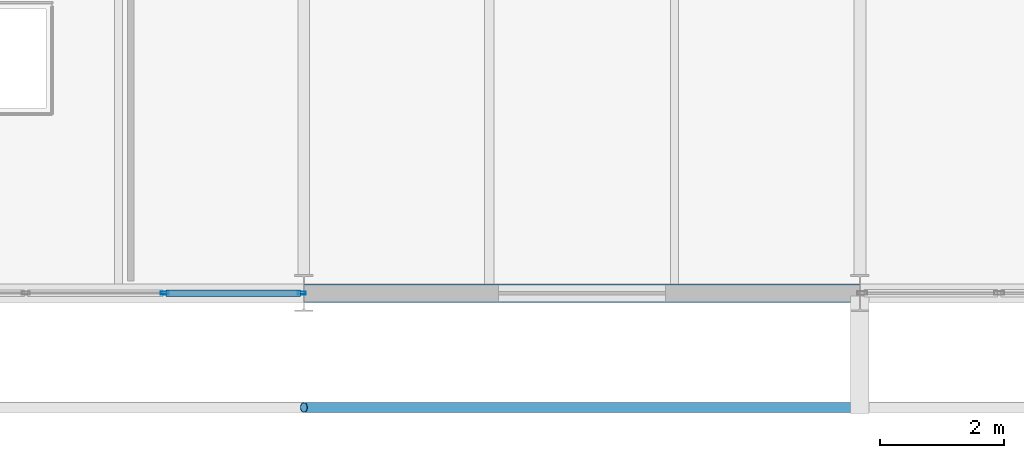
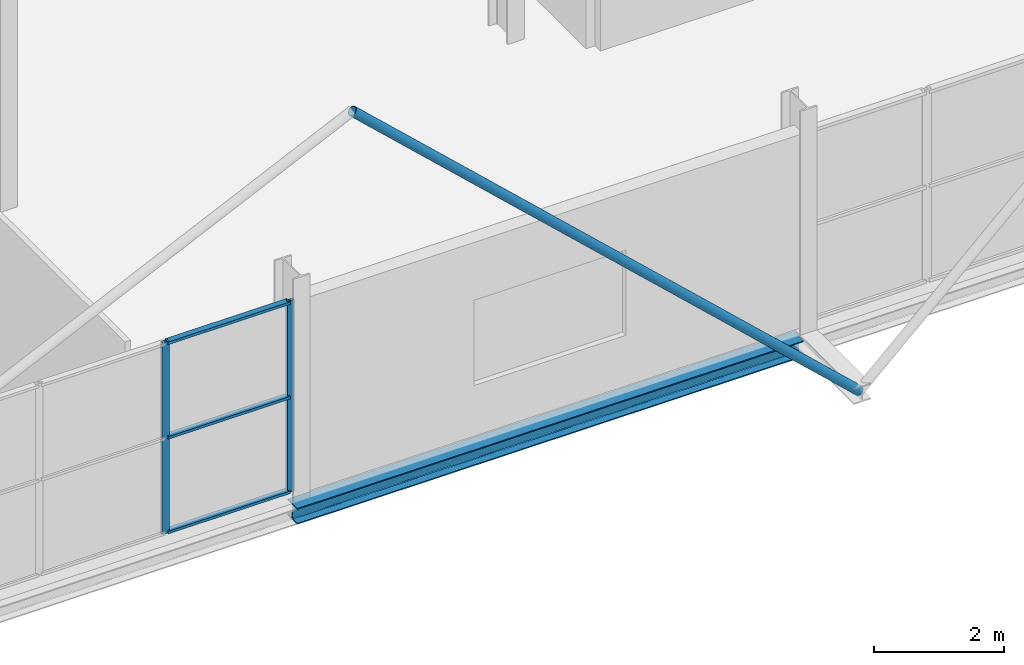
# One storey, part 28 of 59: 6 members, 1 beam, 1 element without a shape of its own.
"""IFC4 building model written with IfcOpenShell, lengths in metres."""

import ifcopenshell
import ifcopenshell.guid

model = None  # the IFC model being written
_history = None  # IfcOwnerHistory: only IFC2X3 demands one
_inside = {}  # id of a spatial element -> (the spatial element, [elements in it])
_under = {}  # id of a project, library or spatial element -> (it, [spatial elements below it])
_declared = {}  # id of a project -> (the project, [libraries it declares])
_typed = {}  # id of a type object -> (the type object, [elements of that type])
_made_of = {}  # id of a material, layer set ... -> (it, [elements and type objects made of it])


def new_model(schema):
    """Start an empty IFC model of exactly this schema.

    Asked for "IFC4X3", IfcOpenShell would pick the latest addendum, in which some entities
    have other attributes; the version numbers below select the first issue.
    IFC2X3 requires an IfcOwnerHistory on every rooted entity: one is made here for all.
    """
    global model, _history
    if schema == "IFC4X3":
        model = ifcopenshell.file(schema_version=(4, 3, 0, 0))
    else:
        model = ifcopenshell.file(schema=schema)
    _inside.clear()
    _under.clear()
    _declared.clear()
    _typed.clear()
    _made_of.clear()
    _history = None
    if model.schema == "IFC2X3":
        org = make("IfcOrganization", Name="unknown")
        user = make(
            "IfcPersonAndOrganization",
            ThePerson=make("IfcPerson", FamilyName="unknown"),
            TheOrganization=org,
        )
        app = make(
            "IfcApplication",
            ApplicationDeveloper=org,
            Version="unknown",
            ApplicationFullName="unknown",
            ApplicationIdentifier="unknown",
        )
        _history = make(
            "IfcOwnerHistory",
            OwningUser=user,
            OwningApplication=app,
            ChangeAction="ADDED",
            CreationDate=0,
        )
    return model


def make(cls, **values):
    """One entity of the class cls with the attributes given. An attribute that is None is left unset."""
    return model.create_entity(
        cls, **{name: value for name, value in values.items() if value is not None}
    )


def rooted(cls, **values):
    """An entity with a GlobalId (a new one), such as an element, a storey or a relation."""
    return make(cls, GlobalId=ifcopenshell.guid.new(), OwnerHistory=_history, **values)


def si_unit(unit_type, name, prefix=None):
    """IfcSIUnit, for example si_unit("LENGTHUNIT", "METRE", prefix="MILLI")."""
    return make("IfcSIUnit", UnitType=unit_type, Prefix=prefix, Name=name)


def assignment(units):
    """IfcUnitAssignment: the units of a project."""
    return None if units is None else make("IfcUnitAssignment", Units=units)


def point(xyz):
    """IfcCartesianPoint."""
    return None if xyz is None else make("IfcCartesianPoint", Coordinates=xyz)


def direction(xyz):
    """IfcDirection."""
    return None if xyz is None else make("IfcDirection", DirectionRatios=xyz)


def frame(location, z_axis=None, x_axis=None):
    """IfcAxis2Placement3D, a coordinate frame: its origin and axes. An axis left out is left unset."""
    return make(
        "IfcAxis2Placement3D",
        Location=point(location),
        Axis=direction(z_axis),
        RefDirection=direction(x_axis),
    )


def frame_2d(location, x_axis=None):
    """IfcAxis2Placement2D, a coordinate frame in the plane: its origin and x axis."""
    return make(
        "IfcAxis2Placement2D", Location=point(location), RefDirection=direction(x_axis)
    )


def origin():
    """The frame at (0, 0, 0) with its axes left unset."""
    return frame((0.0, 0.0, 0.0))


def origin_2d():
    """The frame at (0, 0) in the plane with its x axis left unset."""
    return frame_2d((0.0, 0.0))


def place(relative_to, where):
    """IfcLocalPlacement: puts the frame where relative to a parent placement (None: the world)."""
    return make(
        "IfcLocalPlacement", PlacementRelTo=relative_to, RelativePlacement=where
    )


def context(
    kind, dimensions, precision=None, world=None, true_north=None, identifier=None
):
    """IfcGeometricRepresentationContext, for example the 3D "Model" context."""
    return make(
        "IfcGeometricRepresentationContext",
        ContextIdentifier=identifier,
        ContextType=kind,
        CoordinateSpaceDimension=dimensions,
        Precision=precision,
        WorldCoordinateSystem=world,
        TrueNorth=true_north,
    )


def subcontext(parent, identifier, kind, view, scale=None):
    """IfcGeometricRepresentationSubContext, for example "Body" below "Model"."""
    return make(
        "IfcGeometricRepresentationSubContext",
        ContextIdentifier=identifier,
        ContextType=kind,
        ParentContext=parent,
        TargetScale=scale,
        TargetView=view,
    )


def project(units=None, contexts=None):
    """IfcProject with its units and contexts."""
    return rooted(
        "IfcProject",
        Name="project",
        RepresentationContexts=contexts,
        UnitsInContext=assignment(units),
    )


def spatial(cls, under=None, at=None, **own):
    """A site, building, storey or space (cls), placed at a placement, below another one or the project."""
    s = rooted(cls, ObjectPlacement=at, **own)
    if under is not None:
        _under.setdefault(under.id(), (under, []))[1].append(s)
    return s


def profile(cls, at=None, kind="AREA", **sizes):
    """A parametric profile (cls). Its sizes go by their IFC names, for example OverallWidth=200.0."""
    return make(cls, ProfileType=kind, Position=at, **sizes)


def hollow_rectangle(**sizes):
    """IfcRectangleHollowProfileDef."""
    return profile("IfcRectangleHollowProfileDef", **sizes)


def hollow_circle(**sizes):
    """IfcCircleHollowProfileDef."""
    return profile("IfcCircleHollowProfileDef", **sizes)


def i_section(**sizes):
    """IfcIShapeProfileDef."""
    return profile("IfcIShapeProfileDef", **sizes)


def extrude(swept, where, along, depth):
    """IfcExtrudedAreaSolid: the profile swept, set in the frame where, extruded along a direction by depth."""
    return make(
        "IfcExtrudedAreaSolid",
        SweptArea=swept,
        Position=where,
        ExtrudedDirection=direction(along),
        Depth=depth,
    )


def shape(context_of_items, identifier, shape_type, items):
    """IfcShapeRepresentation: the items that make up one representation, for example the "Body"."""
    return make(
        "IfcShapeRepresentation",
        ContextOfItems=context_of_items,
        RepresentationIdentifier=identifier,
        RepresentationType=shape_type,
        Items=items,
    )


def material(Name=None, Category=None):
    """IfcMaterial."""
    return make("IfcMaterial", Name=Name, Category=Category)


def layer(
    of_material, thickness, ventilated=None, Name=None, Category=None, Priority=None
):
    """IfcMaterialLayer: one layer of a wall or slab, of a material (None: an air gap)."""
    return make(
        "IfcMaterialLayer",
        Material=of_material,
        LayerThickness=thickness,
        IsVentilated=ventilated,
        Name=Name,
        Category=Category,
        Priority=Priority,
    )


def layer_set(layers, Name=None):
    """IfcMaterialLayerSet."""
    return make("IfcMaterialLayerSet", MaterialLayers=layers, LayerSetName=Name)


def material_profile(
    of_material, cross_section, Name=None, Category=None, Priority=None
):
    """IfcMaterialProfile: a cross section and its material."""
    return make(
        "IfcMaterialProfile",
        Name=Name,
        Material=of_material,
        Profile=cross_section,
        Priority=Priority,
        Category=Category,
    )


def profile_set(profiles, Name=None, composite=None):
    """IfcMaterialProfileSet."""
    return make(
        "IfcMaterialProfileSet",
        Name=Name,
        MaterialProfiles=profiles,
        CompositeProfile=composite,
    )


def made_of(thing, what):
    """Note that an element or type object is made of a material, layer set ...; save() writes the relation."""
    if what is not None:
        _made_of.setdefault(what.id(), (what, []))[1].append(thing)
    return thing


def type_object(cls, material=None, **own):
    """A type object (cls), such as IfcWallType, which elements share."""
    return made_of(rooted(cls, **own), material)


def element(
    cls,
    number,
    at=None,
    inside=None,
    cuts=None,
    type_object=None,
    material=None,
    context=None,
    identifier="Body",
    shape_type=None,
    held_by="IfcProductDefinitionShape",
    body=None,
    shapes=None,
    **own,
):
    """One element of the class cls, such as IfcWall. Its Tag is "e" and its number.

    at: its placement. inside: the storey or other place that contains it. cuts: it is an
    opening in that element (IfcRelVoidsElement). A single representation is given by context,
    identifier, shape_type and body (its items); several are given by shapes. held_by: the class
    of the entity that holds the representations. save() writes the other relations.
    """
    e = rooted(cls, Tag="e%d" % number, ObjectPlacement=at, **own)
    if body is not None:
        shapes = [shape(context, identifier, shape_type, body)]
    if shapes is not None:
        e.Representation = make(held_by, Representations=shapes)
    if inside is not None:
        _inside.setdefault(inside.id(), (inside, []))[1].append(e)
    if cuts is not None:
        rooted(
            "IfcRelVoidsElement", RelatingBuildingElement=cuts, RelatedOpeningElement=e
        )
    if type_object is not None:
        _typed.setdefault(type_object.id(), (type_object, []))[1].append(e)
    return made_of(e, material)


def aggregate(whole, parts):
    """IfcRelAggregates: a whole, such as a stair, and the parts it consists of."""
    return rooted("IfcRelAggregates", RelatingObject=whole, RelatedObjects=parts)


def save(model, path):
    """Write the relations noted so far, then the file.

    IfcRelAggregates (storeys below a building ...), IfcRelContainedInSpatialStructure (elements
    in a storey), IfcRelDefinesByType, IfcRelAssociatesMaterial and IfcRelDeclares: one each for
    every whole, place, type object, material and project.
    """
    for whole, parts in _under.values():
        aggregate(whole, parts)
    for where, things in _inside.values():
        rooted(
            "IfcRelContainedInSpatialStructure",
            RelatedElements=things,
            RelatingStructure=where,
        )
    for kind, things in _typed.values():
        rooted("IfcRelDefinesByType", RelatedObjects=things, RelatingType=kind)
    for what, things in _made_of.values():
        rooted("IfcRelAssociatesMaterial", RelatedObjects=things, RelatingMaterial=what)
    for by, libraries in _declared.values():
        rooted("IfcRelDeclares", RelatingContext=by, RelatedDefinitions=libraries)
    model.write(path)


model = new_model("IFC4")

# Units and contexts
model_context = context("Model", 3, precision=1e-05, world=origin(), true_north=direction((0.0, 1.0)))
body_context = subcontext(model_context, "Body", "Model", "MODEL_VIEW")
ifc_project = project(units=[si_unit("LENGTHUNIT", "METRE"), si_unit("AREAUNIT", "SQUARE_METRE"), si_unit("VOLUMEUNIT", "CUBIC_METRE"), si_unit("PLANEANGLEUNIT", "RADIAN"), si_unit("MASSUNIT", "GRAM", prefix="KILO")], contexts=[model_context])

# Site, building, storey
site_placement = place(None, origin())
site = spatial("IfcSite", under=ifc_project, at=site_placement, CompositionType="ELEMENT")
building_placement = place(site_placement, origin())
building = spatial("IfcBuilding", under=site, at=building_placement, Name="Deido Ridge Mobility Hub", CompositionType="ELEMENT")
storey_placement = place(building_placement, frame((0.0, 0.0, 21.0)))
storey = spatial("IfcBuildingStorey", under=building, at=storey_placement, Name="L05", CompositionType="ELEMENT", Elevation=21.0)

# Curtain wall, members
ifc_material_1 = material(Name="Anodised aluminium EN AW-6063 T6", Category="aluminium")
ifc_layer = layer(ifc_material_1, 0.1650390625, Name="Anodised aluminium EN AW-6063 T6")
ifc_layer_set = layer_set([ifc_layer], Name="Anodised aluminium EN AW-6063 T6")
curtain_wall_type = type_object("IfcCurtainWallType", Name="CW-UF-1", PredefinedType="USERDEFINED", material=ifc_layer_set)
curtain_wall_placement = place(storey_placement, origin())
curtain_wall = element("IfcCurtainWall", 1, at=curtain_wall_placement, inside=storey, type_object=curtain_wall_type, Name="Unitised curtain wall CW1", ObjectType="UNITISED FACADE", PredefinedType="USERDEFINED")
ifc_material_profile_1 = material_profile(ifc_material_1, hollow_rectangle(XDim=0.050048828125, YDim=0.1298828125, WallThickness=0.00390625, at=origin_2d()), Name="RHS 50x130x4")
ifc_profile_set_1 = profile_set([ifc_material_profile_1], Name="Anodised aluminium EN AW-6063 T6")
member_type_1 = type_object("IfcMemberType", Name="MEM-MUL-50X130", PredefinedType="MULLION", material=ifc_profile_set_1)
member_1_placement = place(storey_placement, frame((150.746337890625, 0.0, 0.0), z_axis=(0.0, 0.0, 1.0), x_axis=(0.0, 1.0, 0.0)))
member_1 = element("IfcMember", 2, at=member_1_placement, type_object=member_type_1, Name="CW1 mullion 4", PredefinedType="MULLION", context=body_context, shape_type="SweptSolid", body=[
    extrude(hollow_rectangle(XDim=0.050048828125, YDim=0.1298828125, WallThickness=0.00390625, at=origin_2d()), origin(), (0.0, 0.0, 1.0), 3.60009765625),
])
member_2_placement = place(storey_placement, frame((152.96728515625, 0.0, 0.0), z_axis=(0.0, 0.0, 1.0), x_axis=(0.0, 1.0, 0.0)))
member_2 = element("IfcMember", 3, at=member_2_placement, type_object=member_type_1, Name="CW1 mullion 5", PredefinedType="MULLION", context=body_context, shape_type="SweptSolid", body=[
    extrude(hollow_rectangle(XDim=0.050048828125, YDim=0.1298828125, WallThickness=0.00390625, at=origin_2d()), origin(), (0.0, 0.0, 1.0), 3.60009765625),
])

# Member
ifc_material_2 = material(Name="Steel S355J2H EN 10210-1", Category="steel")
ifc_material_profile_2 = material_profile(ifc_material_2, hollow_circle(Radius=0.084228515625, WallThickness=0.008056640625, at=origin_2d()), Name="CHS 168.3x8")
ifc_profile_set_2 = profile_set([ifc_material_profile_2], Name="Steel S355J2H EN 10210-1")
member_type_2 = type_object("IfcMemberType", Name="MEM-STR-CHS168", PredefinedType="STRUT", material=ifc_profile_set_2)
member_3_placement = place(storey_placement, frame((162.0, -1.85009765625, -0.14990234375), z_axis=(-0.73105922506, 0.0, 0.682314010889), x_axis=(0.0, -1.0, 0.0)))
element("IfcMember", 4, at=member_3_placement, inside=storey, type_object=member_type_2, Name="Deconstructivist facade diagrid strut SR1", PredefinedType="STRUT", context=body_context, shape_type="SweptSolid", body=[
    extrude(hollow_circle(Radius=0.084228515625, WallThickness=0.008056640625, at=origin_2d()), origin(), (0.0, 0.0, 1.0), 12.310791015625),
])

ifc_material_profile_3 = material_profile(ifc_material_1, hollow_rectangle(XDim=0.10498046875, YDim=0.050048828125, WallThickness=0.00390625, at=origin_2d()), Name="RHS 105x50x4")
ifc_profile_set_3 = profile_set([ifc_material_profile_3], Name="Anodised aluminium EN AW-6063 T6")
member_type_3 = type_object("IfcMemberType", Name="MEM-TRN-105X50", PredefinedType="USERDEFINED", material=ifc_profile_set_3)
member_4_placement = place(storey_placement, frame((150.771484375, 0.0, 0.02490234375), z_axis=(1.0, 0.0, 0.0), x_axis=(0.0, 1.0, 0.0)))
member_4 = element("IfcMember", 5, at=member_4_placement, type_object=member_type_3, Name="CW1 transom 4.1", ObjectType="TRANSOM", PredefinedType="USERDEFINED", context=body_context, shape_type="SweptSolid", body=[
    extrude(hollow_rectangle(XDim=0.10498046875, YDim=0.050048828125, WallThickness=0.00390625, at=origin_2d()), origin(), (0.0, 0.0, 1.0), 2.1708984375),
])

member_5_placement = place(storey_placement, frame((150.771484375, 0.0, 1.800048828125), z_axis=(1.0, 0.0, 0.0), x_axis=(0.0, 1.0, 0.0)))
member_5 = element("IfcMember", 6, at=member_5_placement, type_object=member_type_3, Name="CW1 transom 4.2", ObjectType="TRANSOM", PredefinedType="USERDEFINED", context=body_context, shape_type="SweptSolid", body=[
    extrude(hollow_rectangle(XDim=0.10498046875, YDim=0.050048828125, WallThickness=0.00390625, at=origin_2d()), origin(), (0.0, 0.0, 1.0), 2.1708984375),
])

member_6_placement = place(storey_placement, frame((150.771484375, 0.0, 3.574951171875), z_axis=(1.0, 0.0, 0.0), x_axis=(0.0, 1.0, 0.0)))
member_6 = element("IfcMember", 7, at=member_6_placement, type_object=member_type_3, Name="CW1 transom 4.3", ObjectType="TRANSOM", PredefinedType="USERDEFINED", context=body_context, shape_type="SweptSolid", body=[
    extrude(hollow_rectangle(XDim=0.10498046875, YDim=0.050048828125, WallThickness=0.00390625, at=origin_2d()), origin(), (0.0, 0.0, 1.0), 2.1708984375),
])

aggregate(curtain_wall, [member_1, member_2, member_4, member_5, member_6])

# Beam
ifc_material_3 = material(Name="Steel S355J2 EN 10025-2", Category="steel")
ifc_material_profile_4 = material_profile(ifc_material_3, i_section(OverallWidth=0.300048828125, OverallDepth=0.300048828125, WebThickness=0.010986328125, FlangeThickness=0.01904296875, FilletRadius=0.027099609375, at=origin_2d()), Name="HEB 300")
ifc_profile_set_4 = profile_set([ifc_material_profile_4], Name="Steel S355J2 EN 10025-2")
beam_type = type_object("IfcBeamType", Name="SPD-HEB300", PredefinedType="SPANDREL", material=ifc_profile_set_4)
beam_placement = place(storey_placement, frame((153.0078125, 0.0, -0.39501953125), z_axis=(1.0, 0.0, 0.0), x_axis=(0.0, 1.0, 0.0)))
element("IfcBeam", 8, at=beam_placement, inside=storey, type_object=beam_type, Name="Floor beam SP1", PredefinedType="SPANDREL", context=body_context, shape_type="SweptSolid", body=[
    extrude(i_section(OverallWidth=0.300048828125, OverallDepth=0.300048828125, WebThickness=0.010986328125, FlangeThickness=0.01904296875, FilletRadius=0.027099609375, at=origin_2d()), origin(), (0.0, 0.0, 1.0), 8.984375),
])

save(model, "model.ifc")
